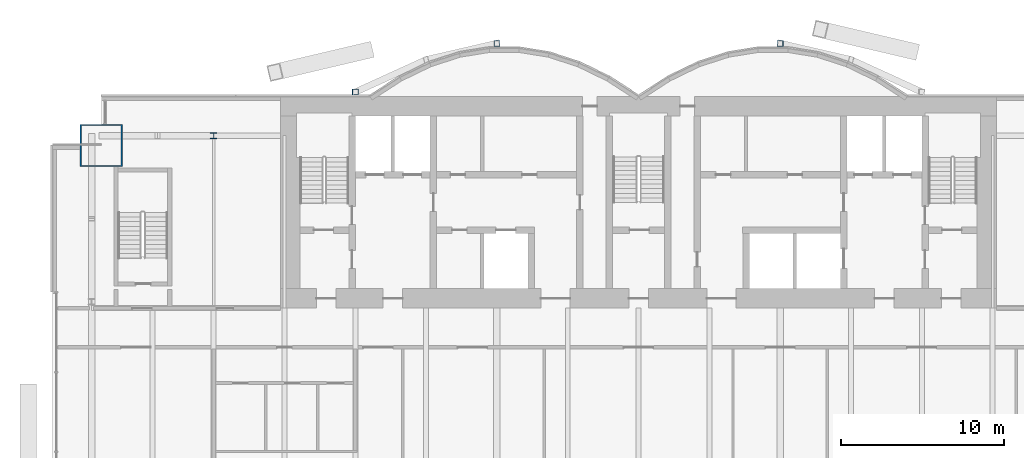
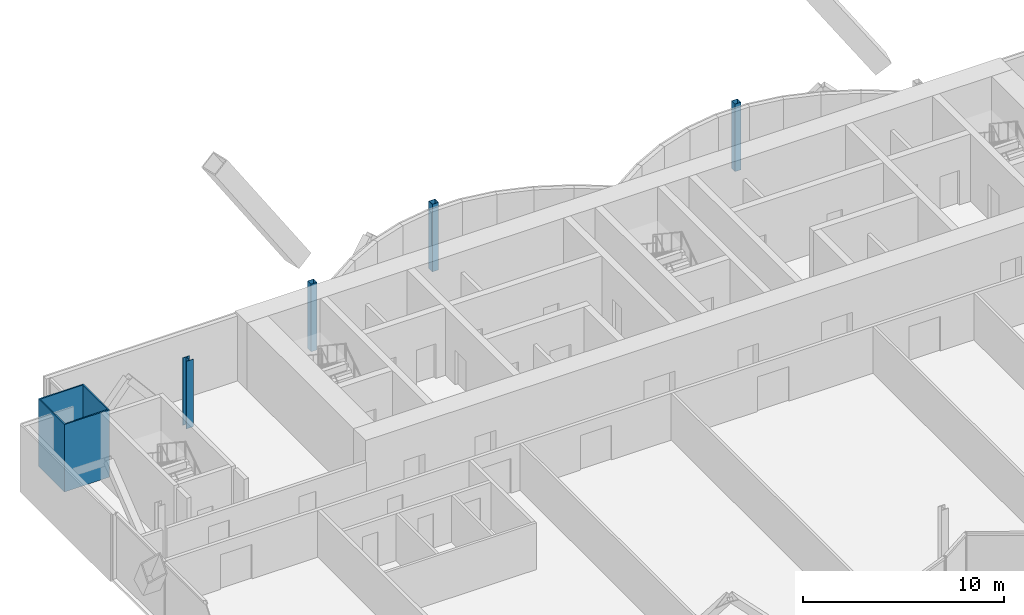
# One storey, part 3 of 24: 5 columns.
"""IFC4 building model written with IfcOpenShell, lengths in metres."""

from ifc_helpers import new_model, si_unit, direction, frame, origin, origin_2d, place, context, subcontext, project, spatial, hollow_rectangle, i_section, extrude, material, material_profile, profile_set, type_object, element, save


model = new_model("IFC4")

# Units and contexts
model_context = context("Model", 3, precision=1e-05, world=origin(), true_north=direction((0.0, 1.0)))
body_context = subcontext(model_context, "Body", "Model", "MODEL_VIEW")
ifc_project = project(units=[si_unit("LENGTHUNIT", "METRE"), si_unit("AREAUNIT", "SQUARE_METRE"), si_unit("VOLUMEUNIT", "CUBIC_METRE"), si_unit("PLANEANGLEUNIT", "RADIAN"), si_unit("MASSUNIT", "GRAM", prefix="KILO")], contexts=[model_context])

# Site, building, storey
site_placement = place(None, origin())
site = spatial("IfcSite", under=ifc_project, at=site_placement, CompositionType="ELEMENT")
building_placement = place(site_placement, origin())
building = spatial("IfcBuilding", under=site, at=building_placement, Name="Bicima Exchange Tower", CompositionType="ELEMENT")
storey_placement = place(building_placement, frame((0.0, 0.0, 160.89990234375)))
storey = spatial("IfcBuildingStorey", under=building, at=storey_placement, Name="L35", CompositionType="ELEMENT", Elevation=160.89990234375)

# Columns
ifc_material_1 = material(Name="Steel ASTM A572 Gr 50", Category="steel")
ifc_material_profile_1 = material_profile(ifc_material_1, hollow_rectangle(XDim=2.60009765625, YDim=2.60009765625, WallThickness=0.080078125, at=origin_2d()))
ifc_profile_set_1 = profile_set([ifc_material_profile_1], Name="Steel ASTM A572 Gr 50")
column_type_1 = type_object("IfcColumnType", Name="Mega column BOX 2600x2600x80", PredefinedType="COLUMN", material=ifc_profile_set_1)
column_1_placement = place(storey_placement, frame((-33.0, -3.0, 0.0), z_axis=(0.0, 0.0, 1.0), x_axis=(1.0, 0.0, 0.0)))
element("IfcColumn", 1, at=column_1_placement, inside=storey, type_object=column_type_1, Name="Mega column mega-33.0r", PredefinedType="COLUMN", context=body_context, shape_type="SweptSolid", body=[
    extrude(hollow_rectangle(XDim=2.60009765625, YDim=2.60009765625, WallThickness=0.080078125, at=origin_2d()), origin(), (0.0, 0.0, 1.0), 4.10009765625),
])
ifc_material_2 = material(Name="Steel ASTM A992 Gr 50", Category="steel")
ifc_material_profile_2 = material_profile(ifc_material_2, i_section(OverallWidth=0.396240234375, OverallDepth=0.381103515625, WebThickness=0.01904296875, FlangeThickness=0.0302734375, at=origin_2d()))
ifc_profile_set_2 = profile_set([ifc_material_profile_2], Name="Steel ASTM A992 Gr 50")
column_type_2 = type_object("IfcColumnType", Name="Perimeter column W14x159", PredefinedType="COLUMN", material=ifc_profile_set_2)
column_2_placement = place(storey_placement, frame((-26.10009765625, -2.39990234375, 0.0), z_axis=(0.0, 0.0, 1.0), x_axis=(1.0, 0.0, 0.0)))
element("IfcColumn", 2, at=column_2_placement, inside=storey, type_object=column_type_2, Name="Perimeter column grav-26.1r", PredefinedType="COLUMN", context=body_context, shape_type="SweptSolid", body=[
    extrude(i_section(OverallWidth=0.396240234375, OverallDepth=0.381103515625, WebThickness=0.01904296875, FlangeThickness=0.0302734375, at=origin_2d()), origin(), (0.0, 0.0, 1.0), 4.10009765625),
])
ifc_material_profile_3 = material_profile(ifc_material_1, hollow_rectangle(XDim=0.355712890625, YDim=0.355712890625, WallThickness=0.01171875, at=origin_2d()))
ifc_profile_set_3 = profile_set([ifc_material_profile_3], Name="Steel ASTM A572 Gr 50")
column_type_3 = type_object("IfcColumnType", Name="Rear pilaster HSS14x14x1/2", PredefinedType="COLUMN", material=ifc_profile_set_3)
for number, where, z_axis, x_axis, name in (
    (3, (-8.699951171875, 3.26904296875, 0.0), (0.0, 0.0, 1.0), (1.0, 0.0, 0.0), "Rear pilaster rexo-8.7r"),
    (4, (-17.39990234375, 0.278076171875, 0.0), (0.0, 0.0, 1.0), (1.0, 0.0, 0.0), "Rear pilaster rexo-17.4r"),
    (5, (8.699951171875, 3.26904296875, 0.0), (0.0, 0.0, 1.0), (1.0, 0.0, 0.0), "Rear pilaster rexo+8.7r"),
):
    element("IfcColumn", number, at=place(storey_placement, frame(where, z_axis=z_axis, x_axis=x_axis)), inside=storey, type_object=column_type_3, Name=name, PredefinedType="COLUMN", context=body_context, shape_type="SweptSolid", body=[
        extrude(hollow_rectangle(XDim=0.355712890625, YDim=0.355712890625, WallThickness=0.01171875, at=origin_2d()), origin(), (0.0, 0.0, 1.0), 4.10009765625),
    ])

save(model, "model.ifc")
